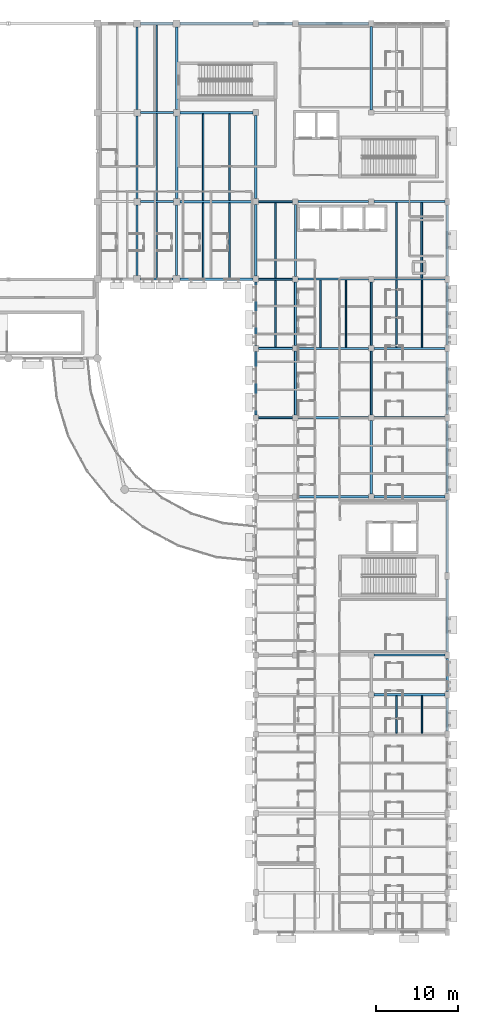
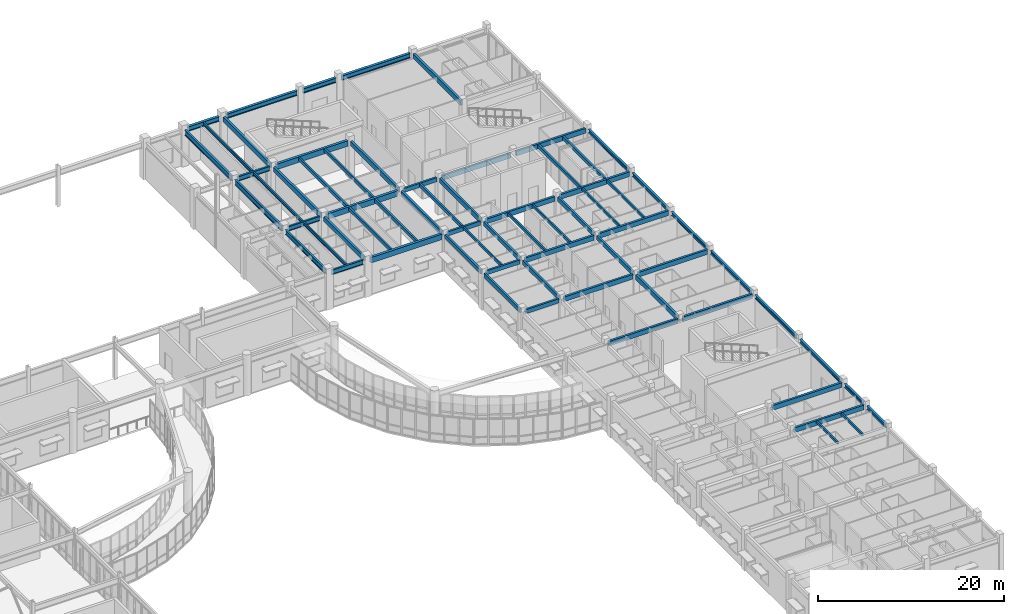
# One storey, part 31 of 68: 68 beams.
"""IFC4 building model written with IfcOpenShell, lengths in metres."""

from ifc_helpers import new_model, si_unit, direction, frame, origin, origin_2d, place, context, subcontext, project, spatial, rectangle, i_section, extrude, material, material_profile, profile_set, type_object, element, save


model = new_model("IFC4")

# Units and contexts
model_context = context("Model", 3, precision=1e-05, world=origin(), true_north=direction((0.0, 1.0)))
body_context = subcontext(model_context, "Body", "Model", "MODEL_VIEW")
ifc_project = project(units=[si_unit("LENGTHUNIT", "METRE"), si_unit("AREAUNIT", "SQUARE_METRE"), si_unit("VOLUMEUNIT", "CUBIC_METRE"), si_unit("PLANEANGLEUNIT", "RADIAN"), si_unit("MASSUNIT", "GRAM", prefix="KILO")], contexts=[model_context])

# Site, building, storey
site_placement = place(None, origin())
site = spatial("IfcSite", under=ifc_project, at=site_placement, CompositionType="ELEMENT")
building_placement = place(site_placement, origin())
building = spatial("IfcBuilding", under=site, at=building_placement, Name="Veldera Park Congress Hotel", CompositionType="ELEMENT")
storey_placement = place(building_placement, frame((0.0, 0.0, 10.800048828125)))
storey = spatial("IfcBuildingStorey", under=building, at=storey_placement, Name="L02", CompositionType="ELEMENT", Elevation=10.800048828125)

# Beams
ifc_material_1 = material(Name="Glulam GL28h (NDS 24F-V4)", Category="wood")
ifc_material_profile_1 = material_profile(ifc_material_1, rectangle(XDim=0.239990234375, YDim=0.5400390625, at=origin_2d()), Name="GL28h 240x540")
ifc_profile_set_1 = profile_set([ifc_material_profile_1], Name="Glulam GL28h (NDS 24F-V4)")
beam_type_1 = type_object("IfcBeamType", Name="BM-GL540", PredefinedType="BEAM", material=ifc_profile_set_1)
for number, where, z_axis, x_axis, name in (
    (1, (61.14990234375, 10.199951171875, 4.530029296875), (1.0, 0.0, 0.0), (0.0, 1.0, 0.0), "L02 Girder BM-GL540 862"),
    (2, (61.14990234375, 18.60009765625, 4.530029296875), (1.0, 0.0, 0.0), (0.0, 1.0, 0.0), "L02 Girder BM-GL540 872"),
    (3, (61.14990234375, 27.0, 4.530029296875), (1.0, 0.0, 0.0), (0.0, 1.0, 0.0), "L02 Girder BM-GL540 890"),
    (4, (61.14990234375, 36.39990234375, 4.530029296875), (1.0, 0.0, 0.0), (0.0, 1.0, 0.0), "L02 Girder BM-GL540 900"),
):
    element("IfcBeam", number, at=place(storey_placement, frame(where, z_axis=z_axis, x_axis=x_axis)), inside=storey, type_object=beam_type_1, Name=name, PredefinedType="BEAM", context=body_context, shape_type="SweptSolid", body=[
        extrude(rectangle(XDim=0.239990234375, YDim=0.5400390625, at=origin_2d()), origin(), (0.0, 0.0, 1.0), 4.125),
    ])
for number, where, z_axis, x_axis, name in (
    (5, (60.800048828125, 10.550048828125, 4.530029296875), (0.0, 1.0, 0.0), (-1.0, 0.0, 0.0), "L02 Girder BM-GL540 995"),
    (6, (60.800048828125, 18.949951171875, 4.530029296875), (0.0, 1.0, 0.0), (-1.0, 0.0, 0.0), "L02 Girder BM-GL540 996"),
):
    element("IfcBeam", number, at=place(storey_placement, frame(where, z_axis=z_axis, x_axis=x_axis)), inside=storey, type_object=beam_type_1, Name=name, PredefinedType="BEAM", context=body_context, shape_type="SweptSolid", body=[
        extrude(rectangle(XDim=0.239990234375, YDim=0.5400390625, at=origin_2d()), origin(), (0.0, 0.0, 1.0), 7.699951171875),
    ])
for number, where, z_axis, x_axis, name in (
    (7, (65.60009765625, 10.52490234375, 4.530029296875), (0.0, 1.0, 0.0), (-1.0, 0.0, 0.0), "L02 Girder BM-GL540 1002"),
    (8, (65.60009765625, 18.925048828125, 4.530029296875), (0.0, 1.0, 0.0), (-1.0, 0.0, 0.0), "L02 Girder BM-GL540 1003"),
    (9, (74.800048828125, 10.52490234375, 4.530029296875), (0.0, 1.0, 0.0), (-1.0, 0.0, 0.0), "L02 Girder BM-GL540 1011"),
    (10, (74.800048828125, 18.925048828125, 4.530029296875), (0.0, 1.0, 0.0), (-1.0, 0.0, 0.0), "L02 Girder BM-GL540 1012"),
):
    element("IfcBeam", number, at=place(storey_placement, frame(where, z_axis=z_axis, x_axis=x_axis)), inside=storey, type_object=beam_type_1, Name=name, PredefinedType="BEAM", context=body_context, shape_type="SweptSolid", body=[
        extrude(rectangle(XDim=0.239990234375, YDim=0.5400390625, at=origin_2d()), origin(), (0.0, 0.0, 1.0), 7.75),
    ])
ifc_material_profile_2 = material_profile(ifc_material_1, rectangle(XDim=0.264892578125, YDim=0.6201171875, at=origin_2d()), Name="GL28h 265x620")
ifc_profile_set_2 = profile_set([ifc_material_profile_2], Name="Glulam GL28h (NDS 24F-V4)")
beam_type_2 = type_object("IfcBeamType", Name="BM-GL620", PredefinedType="BEAM", material=ifc_profile_set_2)
for number, where, z_axis, x_axis, name in (
    (11, (75.125, -23.39990234375, 4.489990234375), (1.0, 0.0, 0.0), (0.0, 1.0, 0.0), "L02 Girder BM-GL620 837"),
    (12, (75.125, -18.60009765625, 4.489990234375), (1.0, 0.0, 0.0), (0.0, 1.0, 0.0), "L02 Girder BM-GL620 848"),
):
    element("IfcBeam", number, at=place(storey_placement, frame(where, z_axis=z_axis, x_axis=x_axis)), inside=storey, type_object=beam_type_2, Name=name, PredefinedType="BEAM", context=body_context, shape_type="SweptSolid", body=[
        extrude(rectangle(XDim=0.264892578125, YDim=0.6201171875, at=origin_2d()), origin(), (0.0, 0.0, 1.0), 8.60009765625),
    ])
beam_1_placement = place(storey_placement, frame((65.925048828125, 0.60009765625, 4.489990234375), z_axis=(1.0, 0.0, 0.0), x_axis=(0.0, 1.0, 0.0)))
element("IfcBeam", 13, at=beam_1_placement, inside=storey, type_object=beam_type_2, Name="L02 Girder BM-GL620 857", PredefinedType="BEAM", context=body_context, shape_type="SweptSolid", body=[
    extrude(rectangle(XDim=0.264892578125, YDim=0.6201171875, at=origin_2d()), origin(), (0.0, 0.0, 1.0), 8.550048828125),
])
beam_2_placement = place(storey_placement, frame((75.125, 0.60009765625, 4.489990234375), z_axis=(1.0, 0.0, 0.0), x_axis=(0.0, 1.0, 0.0)))
element("IfcBeam", 14, at=beam_2_placement, inside=storey, type_object=beam_type_2, Name="L02 Girder BM-GL620 858", PredefinedType="BEAM", context=body_context, shape_type="SweptSolid", body=[
    extrude(rectangle(XDim=0.264892578125, YDim=0.6201171875, at=origin_2d()), origin(), (0.0, 0.0, 1.0), 8.60009765625),
])
beam_3_placement = place(storey_placement, frame((65.925048828125, 10.199951171875, 4.489990234375), z_axis=(1.0, 0.0, 0.0), x_axis=(0.0, 1.0, 0.0)))
element("IfcBeam", 15, at=beam_3_placement, inside=storey, type_object=beam_type_2, Name="L02 Girder BM-GL620 863", PredefinedType="BEAM", context=body_context, shape_type="SweptSolid", body=[
    extrude(rectangle(XDim=0.264892578125, YDim=0.6201171875, at=origin_2d()), origin(), (0.0, 0.0, 1.0), 8.550048828125),
])
beam_4_placement = place(storey_placement, frame((75.125, 10.199951171875, 4.489990234375), z_axis=(1.0, 0.0, 0.0), x_axis=(0.0, 1.0, 0.0)))
element("IfcBeam", 16, at=beam_4_placement, inside=storey, type_object=beam_type_2, Name="L02 Girder BM-GL620 864", PredefinedType="BEAM", context=body_context, shape_type="SweptSolid", body=[
    extrude(rectangle(XDim=0.264892578125, YDim=0.6201171875, at=origin_2d()), origin(), (0.0, 0.0, 1.0), 8.60009765625),
])
beam_5_placement = place(storey_placement, frame((65.925048828125, 18.60009765625, 4.489990234375), z_axis=(1.0, 0.0, 0.0), x_axis=(0.0, 1.0, 0.0)))
element("IfcBeam", 17, at=beam_5_placement, inside=storey, type_object=beam_type_2, Name="L02 Girder BM-GL620 873", PredefinedType="BEAM", context=body_context, shape_type="SweptSolid", body=[
    extrude(rectangle(XDim=0.264892578125, YDim=0.6201171875, at=origin_2d()), origin(), (0.0, 0.0, 1.0), 8.550048828125),
])
beam_6_placement = place(storey_placement, frame((75.125, 18.60009765625, 4.489990234375), z_axis=(1.0, 0.0, 0.0), x_axis=(0.0, 1.0, 0.0)))
element("IfcBeam", 18, at=beam_6_placement, inside=storey, type_object=beam_type_2, Name="L02 Girder BM-GL620 874", PredefinedType="BEAM", context=body_context, shape_type="SweptSolid", body=[
    extrude(rectangle(XDim=0.264892578125, YDim=0.6201171875, at=origin_2d()), origin(), (0.0, 0.0, 1.0), 8.60009765625),
])
beam_7_placement = place(storey_placement, frame((65.925048828125, 27.0, 4.489990234375), z_axis=(1.0, 0.0, 0.0), x_axis=(0.0, 1.0, 0.0)))
element("IfcBeam", 19, at=beam_7_placement, inside=storey, type_object=beam_type_2, Name="L02 Girder BM-GL620 891", PredefinedType="BEAM", context=body_context, shape_type="SweptSolid", body=[
    extrude(rectangle(XDim=0.264892578125, YDim=0.6201171875, at=origin_2d()), origin(), (0.0, 0.0, 1.0), 8.550048828125),
])
beam_8_placement = place(storey_placement, frame((75.125, 27.0, 4.489990234375), z_axis=(1.0, 0.0, 0.0), x_axis=(0.0, 1.0, 0.0)))
element("IfcBeam", 20, at=beam_8_placement, inside=storey, type_object=beam_type_2, Name="L02 Girder BM-GL620 892", PredefinedType="BEAM", context=body_context, shape_type="SweptSolid", body=[
    extrude(rectangle(XDim=0.264892578125, YDim=0.6201171875, at=origin_2d()), origin(), (0.0, 0.0, 1.0), 8.60009765625),
])
beam_9_placement = place(storey_placement, frame((65.925048828125, 36.39990234375, 4.489990234375), z_axis=(1.0, 0.0, 0.0), x_axis=(0.0, 1.0, 0.0)))
element("IfcBeam", 21, at=beam_9_placement, inside=storey, type_object=beam_type_2, Name="L02 Girder BM-GL620 901", PredefinedType="BEAM", context=body_context, shape_type="SweptSolid", body=[
    extrude(rectangle(XDim=0.264892578125, YDim=0.6201171875, at=origin_2d()), origin(), (0.0, 0.0, 1.0), 8.550048828125),
])
beam_10_placement = place(storey_placement, frame((75.125, 36.39990234375, 4.489990234375), z_axis=(1.0, 0.0, 0.0), x_axis=(0.0, 1.0, 0.0)))
element("IfcBeam", 22, at=beam_10_placement, inside=storey, type_object=beam_type_2, Name="L02 Girder BM-GL620 902", PredefinedType="BEAM", context=body_context, shape_type="SweptSolid", body=[
    extrude(rectangle(XDim=0.264892578125, YDim=0.6201171875, at=origin_2d()), origin(), (0.0, 0.0, 1.0), 8.60009765625),
])
beam_11_placement = place(storey_placement, frame((51.199951171875, 27.425048828125, 4.489990234375), z_axis=(0.0, 1.0, 0.0), x_axis=(-1.0, 0.0, 0.0)))
element("IfcBeam", 23, at=beam_11_placement, inside=storey, type_object=beam_type_2, Name="L02 Girder BM-GL620 984", PredefinedType="BEAM", context=body_context, shape_type="SweptSolid", body=[
    extrude(rectangle(XDim=0.264892578125, YDim=0.6201171875, at=origin_2d()), origin(), (0.0, 0.0, 1.0), 8.574951171875),
])
beam_12_placement = place(storey_placement, frame((60.800048828125, 27.35009765625, 4.489990234375), z_axis=(0.0, 1.0, 0.0), x_axis=(-1.0, 0.0, 0.0)))
element("IfcBeam", 24, at=beam_12_placement, inside=storey, type_object=beam_type_2, Name="L02 Girder BM-GL620 997", PredefinedType="BEAM", context=body_context, shape_type="SweptSolid", body=[
    extrude(rectangle(XDim=0.264892578125, YDim=0.6201171875, at=origin_2d()), origin(), (0.0, 0.0, 1.0), 8.699951171875),
])
beam_13_placement = place(storey_placement, frame((65.60009765625, 27.324951171875, 4.489990234375), z_axis=(0.0, 1.0, 0.0), x_axis=(-1.0, 0.0, 0.0)))
element("IfcBeam", 25, at=beam_13_placement, inside=storey, type_object=beam_type_2, Name="L02 Girder BM-GL620 1004", PredefinedType="BEAM", context=body_context, shape_type="SweptSolid", body=[
    extrude(rectangle(XDim=0.264892578125, YDim=0.6201171875, at=origin_2d()), origin(), (0.0, 0.0, 1.0), 8.75),
])
ifc_material_profile_3 = material_profile(ifc_material_1, rectangle(XDim=0.280029296875, YDim=0.639892578125, at=origin_2d()), Name="GL28h 280x640")
ifc_profile_set_3 = profile_set([ifc_material_profile_3], Name="Glulam GL28h (NDS 24F-V4)")
beam_type_3 = type_object("IfcBeamType", Name="BM-GL640", PredefinedType="BEAM", material=ifc_profile_set_3)
beam_14_placement = place(storey_placement, frame((51.199951171875, 36.800048828125, 4.47998046875), z_axis=(0.0, 1.0, 0.0), x_axis=(-1.0, 0.0, 0.0)))
element("IfcBeam", 26, at=beam_14_placement, inside=storey, type_object=beam_type_3, Name="L02 Girder BM-GL640 985", PredefinedType="BEAM", context=body_context, shape_type="SweptSolid", body=[
    extrude(rectangle(XDim=0.280029296875, YDim=0.639892578125, at=origin_2d()), origin(), (0.0, 0.0, 1.0), 10.0),
])
beam_15_placement = place(storey_placement, frame((51.199951171875, 47.60009765625, 4.47998046875), z_axis=(0.0, 1.0, 0.0), x_axis=(-1.0, 0.0, 0.0)))
element("IfcBeam", 27, at=beam_15_placement, inside=storey, type_object=beam_type_3, Name="L02 Girder BM-GL640 986", PredefinedType="BEAM", context=body_context, shape_type="SweptSolid", body=[
    extrude(rectangle(XDim=0.280029296875, YDim=0.639892578125, at=origin_2d()), origin(), (0.0, 0.0, 1.0), 9.974853515625),
])
beam_16_placement = place(storey_placement, frame((60.800048828125, 36.75, 4.47998046875), z_axis=(0.0, 1.0, 0.0), x_axis=(-1.0, 0.0, 0.0)))
element("IfcBeam", 28, at=beam_16_placement, inside=storey, type_object=beam_type_3, Name="L02 Girder BM-GL640 998", PredefinedType="BEAM", context=body_context, shape_type="SweptSolid", body=[
    extrude(rectangle(XDim=0.280029296875, YDim=0.639892578125, at=origin_2d()), origin(), (0.0, 0.0, 1.0), 10.10009765625),
])
beam_17_placement = place(storey_placement, frame((74.800048828125, 0.925048828125, 4.47998046875), z_axis=(0.0, 1.0, 0.0), x_axis=(-1.0, 0.0, 0.0)))
element("IfcBeam", 29, at=beam_17_placement, inside=storey, type_object=beam_type_3, Name="L02 Girder BM-GL640 1010", PredefinedType="BEAM", context=body_context, shape_type="SweptSolid", body=[
    extrude(rectangle(XDim=0.280029296875, YDim=0.639892578125, at=origin_2d()), origin(), (0.0, 0.0, 1.0), 8.949951171875),
])
beam_18_placement = place(storey_placement, frame((74.800048828125, 47.52490234375, 4.47998046875), z_axis=(0.0, 1.0, 0.0), x_axis=(-1.0, 0.0, 0.0)))
element("IfcBeam", 30, at=beam_18_placement, inside=storey, type_object=beam_type_3, Name="L02 Girder BM-GL640 1013", PredefinedType="BEAM", context=body_context, shape_type="SweptSolid", body=[
    extrude(rectangle(XDim=0.280029296875, YDim=0.639892578125, at=origin_2d()), origin(), (0.0, 0.0, 1.0), 10.125),
])
ifc_material_profile_4 = material_profile(ifc_material_1, rectangle(XDim=0.31494140625, YDim=0.719970703125, at=origin_2d()), Name="GL28h 315x720")
ifc_profile_set_4 = profile_set([ifc_material_profile_4], Name="Glulam GL28h (NDS 24F-V4)")
beam_type_4 = type_object("IfcBeamType", Name="BM-GL720", PredefinedType="BEAM", material=ifc_profile_set_4)
beam_19_placement = place(storey_placement, frame((51.625, 27.0, 4.43994140625), z_axis=(1.0, 0.0, 0.0), x_axis=(0.0, 1.0, 0.0)))
element("IfcBeam", 31, at=beam_19_placement, inside=storey, type_object=beam_type_4, Name="L02 Girder BM-GL720 889", PredefinedType="BEAM", context=body_context, shape_type="SweptSolid", body=[
    extrude(rectangle(XDim=0.31494140625, YDim=0.719970703125, at=origin_2d()), origin(), (0.0, 0.0, 1.0), 8.824951171875),
])
for number, where, z_axis, x_axis, name in (
    (32, (51.60009765625, 36.39990234375, 4.43994140625), (1.0, 0.0, 0.0), (0.0, 1.0, 0.0), "L02 Girder BM-GL720 899"),
    (33, (51.60009765625, 47.199951171875, 4.43994140625), (1.0, 0.0, 0.0), (0.0, 1.0, 0.0), "L02 Girder BM-GL720 909"),
):
    element("IfcBeam", number, at=place(storey_placement, frame(where, z_axis=z_axis, x_axis=x_axis)), inside=storey, type_object=beam_type_4, Name=name, PredefinedType="BEAM", context=body_context, shape_type="SweptSolid", body=[
        extrude(rectangle(XDim=0.31494140625, YDim=0.719970703125, at=origin_2d()), origin(), (0.0, 0.0, 1.0), 8.849853515625),
    ])
ifc_material_2 = material(Name="Steel ASTM A992 Gr.50", Category="steel")
ifc_material_profile_5 = material_profile(ifc_material_2, i_section(OverallWidth=0.22900390625, OverallDepth=0.612060546875, WebThickness=0.011962890625, FlangeThickness=0.01953125, at=origin_2d()), Name="W24X84")
ifc_profile_set_5 = profile_set([ifc_material_profile_5], Name="Steel ASTM A992 Gr.50")
beam_type_5 = type_object("IfcBeamType", Name="BM-W24", PredefinedType="BEAM", material=ifc_profile_set_5)
beam_20_placement = place(storey_placement, frame((46.824951171875, 27.0, 4.493896484375), z_axis=(1.0, 0.0, 0.0), x_axis=(0.0, 1.0, 0.0)))
element("IfcBeam", 34, at=beam_20_placement, inside=storey, type_object=beam_type_5, Name="L02 Girder BM-W24 888", PredefinedType="BEAM", context=body_context, shape_type="SweptSolid", body=[
    extrude(i_section(OverallWidth=0.22900390625, OverallDepth=0.612060546875, WebThickness=0.011962890625, FlangeThickness=0.01953125, at=origin_2d()), origin(), (0.0, 0.0, 1.0), 3.949951171875),
])
for number, where, z_axis, x_axis, name in (
    (35, (46.800048828125, 36.39990234375, 4.493896484375), (1.0, 0.0, 0.0), (0.0, 1.0, 0.0), "L02 Girder BM-W24 898"),
    (36, (46.800048828125, 47.199951171875, 4.493896484375), (1.0, 0.0, 0.0), (0.0, 1.0, 0.0), "L02 Girder BM-W24 908"),
):
    element("IfcBeam", number, at=place(storey_placement, frame(where, z_axis=z_axis, x_axis=x_axis)), inside=storey, type_object=beam_type_5, Name=name, PredefinedType="BEAM", context=body_context, shape_type="SweptSolid", body=[
        extrude(i_section(OverallWidth=0.22900390625, OverallDepth=0.612060546875, WebThickness=0.011962890625, FlangeThickness=0.01953125, at=origin_2d()), origin(), (0.0, 0.0, 1.0), 4.0),
    ])
ifc_material_profile_6 = material_profile(ifc_material_2, i_section(OverallWidth=0.22998046875, OverallDepth=0.616943359375, WebThickness=0.01318359375, FlangeThickness=0.022216796875, at=origin_2d()), Name="W24X94")
ifc_profile_set_6 = profile_set([ifc_material_profile_6], Name="Steel ASTM A992 Gr.50")
beam_type_6 = type_object("IfcBeamType", Name="BM-W24B", PredefinedType="BEAM", material=ifc_profile_set_6)
beam_21_placement = place(storey_placement, frame((46.39990234375, 27.425048828125, 4.491455078125), z_axis=(0.0, 1.0, 0.0), x_axis=(-1.0, 0.0, 0.0)))
element("IfcBeam", 37, at=beam_21_placement, inside=storey, type_object=beam_type_6, Name="L02 Girder BM-W24B 981", PredefinedType="BEAM", context=body_context, shape_type="SweptSolid", body=[
    extrude(i_section(OverallWidth=0.22998046875, OverallDepth=0.616943359375, WebThickness=0.01318359375, FlangeThickness=0.022216796875, at=origin_2d()), origin(), (0.0, 0.0, 1.0), 8.574951171875),
])
ifc_material_profile_7 = material_profile(ifc_material_2, i_section(OverallWidth=0.323974609375, OverallDepth=0.612060546875, WebThickness=0.0126953125, FlangeThickness=0.01904296875, at=origin_2d()), Name="W24X104")
ifc_profile_set_7 = profile_set([ifc_material_profile_7], Name="Steel ASTM A992 Gr.50")
beam_type_7 = type_object("IfcBeamType", Name="BM-W24E", PredefinedType="BEAM", material=ifc_profile_set_7)
beam_22_placement = place(storey_placement, frame((46.824951171875, 58.0, 4.493896484375), z_axis=(1.0, 0.0, 0.0), x_axis=(0.0, 1.0, 0.0)))
element("IfcBeam", 38, at=beam_22_placement, inside=storey, type_object=beam_type_7, Name="L02 Girder BM-W24E 920", PredefinedType="BEAM", context=body_context, shape_type="SweptSolid", body=[
    extrude(i_section(OverallWidth=0.323974609375, OverallDepth=0.612060546875, WebThickness=0.0126953125, FlangeThickness=0.01904296875, at=origin_2d()), origin(), (0.0, 0.0, 1.0), 3.949951171875),
])
ifc_material_profile_8 = material_profile(ifc_material_2, i_section(OverallWidth=0.256103515625, OverallDepth=0.693115234375, WebThickness=0.014404296875, FlangeThickness=0.023681640625, at=origin_2d()), Name="W27X114")
ifc_profile_set_8 = profile_set([ifc_material_profile_8], Name="Steel ASTM A992 Gr.50")
beam_type_8 = type_object("IfcBeamType", Name="BM-W27", PredefinedType="BEAM", material=ifc_profile_set_8)
beam_23_placement = place(storey_placement, frame((46.39990234375, 36.800048828125, 4.453369140625), z_axis=(0.0, 1.0, 0.0), x_axis=(-1.0, 0.0, 0.0)))
element("IfcBeam", 39, at=beam_23_placement, inside=storey, type_object=beam_type_8, Name="L02 Girder BM-W27 982", PredefinedType="BEAM", context=body_context, shape_type="SweptSolid", body=[
    extrude(i_section(OverallWidth=0.256103515625, OverallDepth=0.693115234375, WebThickness=0.014404296875, FlangeThickness=0.023681640625, at=origin_2d()), origin(), (0.0, 0.0, 1.0), 10.0),
])
beam_24_placement = place(storey_placement, frame((46.39990234375, 47.60009765625, 4.453369140625), z_axis=(0.0, 1.0, 0.0), x_axis=(-1.0, 0.0, 0.0)))
element("IfcBeam", 40, at=beam_24_placement, inside=storey, type_object=beam_type_8, Name="L02 Girder BM-W27 983", PredefinedType="BEAM", context=body_context, shape_type="SweptSolid", body=[
    extrude(i_section(OverallWidth=0.256103515625, OverallDepth=0.693115234375, WebThickness=0.014404296875, FlangeThickness=0.023681640625, at=origin_2d()), origin(), (0.0, 0.0, 1.0), 9.974853515625),
])
ifc_material_profile_9 = material_profile(ifc_material_1, rectangle(XDim=0.179931640625, YDim=0.360107421875, at=origin_2d()), Name="GL28h 180x360")
ifc_profile_set_9 = profile_set([ifc_material_profile_9], Name="Glulam GL28h (NDS 24F-V4)")
beam_type_9 = type_object("IfcBeamType", Name="JST-GL360", PredefinedType="JOIST", material=ifc_profile_set_9)
for number, where, z_axis, x_axis, name in (
    (41, (77.86669921875, -28.0673828125, 4.619873046875), (0.0, 1.0, 0.0), (-1.0, 0.0, 0.0), "L02 Floor Joist JST-GL360 1039"),
    (42, (80.933349609375, -28.0673828125, 4.619873046875), (0.0, 1.0, 0.0), (-1.0, 0.0, 0.0), "L02 Floor Joist JST-GL360 1040"),
):
    element("IfcBeam", number, at=place(storey_placement, frame(where, z_axis=z_axis, x_axis=x_axis)), inside=storey, type_object=beam_type_9, Name=name, PredefinedType="JOIST", context=body_context, shape_type="SweptSolid", body=[
        extrude(rectangle(XDim=0.179931640625, YDim=0.360107421875, at=origin_2d()), origin(), (0.0, 0.0, 1.0), 4.534912109375),
    ])
beam_25_placement = place(storey_placement, frame((63.199951171875, 18.719970703125, 4.619873046875), z_axis=(0.0, 1.0, 0.0), x_axis=(-1.0, 0.0, 0.0)))
element("IfcBeam", 43, at=beam_25_placement, inside=storey, type_object=beam_type_9, Name="L02 Floor Joist JST-GL360 1041", PredefinedType="JOIST", context=body_context, shape_type="SweptSolid", body=[
    extrude(rectangle(XDim=0.179931640625, YDim=0.360107421875, at=origin_2d()), origin(), (0.0, 0.0, 1.0), 8.159912109375),
])
for number, where, z_axis, x_axis, name in (
    (44, (68.666748046875, 18.732421875, 4.619873046875), (0.0, 1.0, 0.0), (-1.0, 0.0, 0.0), "L02 Floor Joist JST-GL360 1042"),
    (45, (71.7333984375, 18.732421875, 4.619873046875), (0.0, 1.0, 0.0), (-1.0, 0.0, 0.0), "L02 Floor Joist JST-GL360 1043"),
    (46, (77.86669921875, 18.732421875, 4.619873046875), (0.0, 1.0, 0.0), (-1.0, 0.0, 0.0), "L02 Floor Joist JST-GL360 1044"),
    (47, (80.933349609375, 18.732421875, 4.619873046875), (0.0, 1.0, 0.0), (-1.0, 0.0, 0.0), "L02 Floor Joist JST-GL360 1045"),
):
    element("IfcBeam", number, at=place(storey_placement, frame(where, z_axis=z_axis, x_axis=x_axis)), inside=storey, type_object=beam_type_9, Name=name, PredefinedType="JOIST", context=body_context, shape_type="SweptSolid", body=[
        extrude(rectangle(XDim=0.179931640625, YDim=0.360107421875, at=origin_2d()), origin(), (0.0, 0.0, 1.0), 8.135009765625),
    ])
ifc_material_profile_10 = material_profile(ifc_material_1, rectangle(XDim=0.215087890625, YDim=0.449951171875, at=origin_2d()), Name="GL28h 215x450")
ifc_profile_set_10 = profile_set([ifc_material_profile_10], Name="Glulam GL28h (NDS 24F-V4)")
beam_type_10 = type_object("IfcBeamType", Name="JST-GL450", PredefinedType="JOIST", material=ifc_profile_set_10)
for number, where, z_axis, x_axis, name in (
    (48, (54.39990234375, 27.157470703125, 4.574951171875), (0.0, 1.0, 0.0), (-1.0, 0.0, 0.0), "L02 Floor Joist JST-GL450 1056"),
    (49, (57.60009765625, 27.157470703125, 4.574951171875), (0.0, 1.0, 0.0), (-1.0, 0.0, 0.0), "L02 Floor Joist JST-GL450 1057"),
):
    element("IfcBeam", number, at=place(storey_placement, frame(where, z_axis=z_axis, x_axis=x_axis)), inside=storey, type_object=beam_type_10, Name=name, PredefinedType="JOIST", context=body_context, shape_type="SweptSolid", body=[
        extrude(rectangle(XDim=0.215087890625, YDim=0.449951171875, at=origin_2d()), origin(), (0.0, 0.0, 1.0), 9.0849609375),
    ])
beam_26_placement = place(storey_placement, frame((63.199951171875, 27.1201171875, 4.574951171875), z_axis=(0.0, 1.0, 0.0), x_axis=(-1.0, 0.0, 0.0)))
element("IfcBeam", 50, at=beam_26_placement, inside=storey, type_object=beam_type_10, Name="L02 Floor Joist JST-GL450 1058", PredefinedType="JOIST", context=body_context, shape_type="SweptSolid", body=[
    extrude(rectangle(XDim=0.215087890625, YDim=0.449951171875, at=origin_2d()), origin(), (0.0, 0.0, 1.0), 9.159912109375),
])
for number, where, z_axis, x_axis, name in (
    (51, (77.86669921875, 27.132568359375, 4.574951171875), (0.0, 1.0, 0.0), (-1.0, 0.0, 0.0), "L02 Floor Joist JST-GL450 1059"),
    (52, (80.933349609375, 27.132568359375, 4.574951171875), (0.0, 1.0, 0.0), (-1.0, 0.0, 0.0), "L02 Floor Joist JST-GL450 1060"),
):
    element("IfcBeam", number, at=place(storey_placement, frame(where, z_axis=z_axis, x_axis=x_axis)), inside=storey, type_object=beam_type_10, Name=name, PredefinedType="JOIST", context=body_context, shape_type="SweptSolid", body=[
        extrude(rectangle(XDim=0.215087890625, YDim=0.449951171875, at=origin_2d()), origin(), (0.0, 0.0, 1.0), 9.135009765625),
    ])
for number, where, z_axis, x_axis, name in (
    (53, (54.39990234375, 36.5576171875, 4.574951171875), (0.0, 1.0, 0.0), (-1.0, 0.0, 0.0), "L02 Floor Joist JST-GL450 1071"),
    (54, (57.60009765625, 36.5576171875, 4.574951171875), (0.0, 1.0, 0.0), (-1.0, 0.0, 0.0), "L02 Floor Joist JST-GL450 1072"),
):
    element("IfcBeam", number, at=place(storey_placement, frame(where, z_axis=z_axis, x_axis=x_axis)), inside=storey, type_object=beam_type_10, Name=name, PredefinedType="JOIST", context=body_context, shape_type="SweptSolid", body=[
        extrude(rectangle(XDim=0.215087890625, YDim=0.449951171875, at=origin_2d()), origin(), (0.0, 0.0, 1.0), 10.48486328125),
    ])
ifc_material_profile_11 = material_profile(ifc_material_2, i_section(OverallWidth=0.178955078125, OverallDepth=0.409912109375, WebThickness=0.0087890625, FlangeThickness=0.014404296875, at=origin_2d()), Name="W16X45")
ifc_profile_set_11 = profile_set([ifc_material_profile_11], Name="Steel ASTM A992 Gr.50")
beam_type_11 = type_object("IfcBeamType", Name="JST-W16", PredefinedType="JOIST", material=ifc_profile_set_11)
beam_27_placement = place(storey_placement, frame((48.800048828125, 27.114501953125, 4.594970703125), z_axis=(0.0, 1.0, 0.0), x_axis=(-1.0, 0.0, 0.0)))
element("IfcBeam", 55, at=beam_27_placement, inside=storey, type_object=beam_type_11, Name="L02 Floor Joist JST-W16 1055", PredefinedType="JOIST", context=body_context, shape_type="SweptSolid", body=[
    extrude(i_section(OverallWidth=0.178955078125, OverallDepth=0.409912109375, WebThickness=0.0087890625, FlangeThickness=0.014404296875, at=origin_2d()), origin(), (0.0, 0.0, 1.0), 9.1708984375),
])
ifc_material_profile_12 = material_profile(ifc_material_2, i_section(OverallWidth=0.180908203125, OverallDepth=0.4169921875, WebThickness=0.010986328125, FlangeThickness=0.018310546875, at=origin_2d()), Name="W16X57")
ifc_profile_set_12 = profile_set([ifc_material_profile_12], Name="Steel ASTM A992 Gr.50")
beam_type_12 = type_object("IfcBeamType", Name="JST-W16B", PredefinedType="JOIST", material=ifc_profile_set_12)
beam_28_placement = place(storey_placement, frame((48.800048828125, 36.514404296875, 4.591552734375), z_axis=(0.0, 1.0, 0.0), x_axis=(-1.0, 0.0, 0.0)))
element("IfcBeam", 56, at=beam_28_placement, inside=storey, type_object=beam_type_12, Name="L02 Floor Joist JST-W16B 1070", PredefinedType="JOIST", context=body_context, shape_type="SweptSolid", body=[
    extrude(i_section(OverallWidth=0.180908203125, OverallDepth=0.4169921875, WebThickness=0.010986328125, FlangeThickness=0.018310546875, at=origin_2d()), origin(), (0.0, 0.0, 1.0), 10.571044921875),
])
beam_29_placement = place(storey_placement, frame((48.800048828125, 47.314453125, 4.591552734375), z_axis=(0.0, 1.0, 0.0), x_axis=(-1.0, 0.0, 0.0)))
element("IfcBeam", 57, at=beam_29_placement, inside=storey, type_object=beam_type_12, Name="L02 Floor Joist JST-W16B 1080", PredefinedType="JOIST", context=body_context, shape_type="SweptSolid", body=[
    extrude(i_section(OverallWidth=0.180908203125, OverallDepth=0.4169921875, WebThickness=0.010986328125, FlangeThickness=0.018310546875, at=origin_2d()), origin(), (0.0, 0.0, 1.0), 10.5234375),
])
ifc_material_profile_13 = material_profile(ifc_material_2, i_section(OverallWidth=0.280029296875, OverallDepth=0.462890625, WebThickness=0.0107421875, FlangeThickness=0.017333984375, at=origin_2d()), Name="W18X76")
ifc_profile_set_13 = profile_set([ifc_material_profile_13], Name="Steel ASTM A992 Gr.50")
beam_type_13 = type_object("IfcBeamType", Name="SPN-W18E", PredefinedType="SPANDREL", material=ifc_profile_set_13)
for number, where, z_axis, x_axis, name in (
    (58, (84.0, -27.800048828125, 4.568359375), (0.0, 1.0, 0.0), (-1.0, 0.0, 0.0), "L02 Girder SPN-W18E 1017"),
    (59, (84.0, -23.0, 4.568359375), (0.0, 1.0, 0.0), (-1.0, 0.0, 0.0), "L02 Girder SPN-W18E 1018"),
):
    element("IfcBeam", number, at=place(storey_placement, frame(where, z_axis=z_axis, x_axis=x_axis)), inside=storey, type_object=beam_type_13, Name=name, PredefinedType="SPANDREL", context=body_context, shape_type="SweptSolid", body=[
        extrude(i_section(OverallWidth=0.280029296875, OverallDepth=0.462890625, WebThickness=0.0107421875, FlangeThickness=0.017333984375, at=origin_2d()), origin(), (0.0, 0.0, 1.0), 4.0),
    ])
for number, where, z_axis, x_axis, name in (
    (60, (84.0, -18.199951171875, 4.568359375), (0.0, 1.0, 0.0), (-1.0, 0.0, 0.0), "L02 Girder SPN-W18E 1019"),
    (61, (84.0, -8.60009765625, 4.568359375), (0.0, 1.0, 0.0), (-1.0, 0.0, 0.0), "L02 Girder SPN-W18E 1020"),
    (62, (84.0, 1.0, 4.568359375), (0.0, 1.0, 0.0), (-1.0, 0.0, 0.0), "L02 Girder SPN-W18E 1021"),
):
    element("IfcBeam", number, at=place(storey_placement, frame(where, z_axis=z_axis, x_axis=x_axis)), inside=storey, type_object=beam_type_13, Name=name, PredefinedType="SPANDREL", context=body_context, shape_type="SweptSolid", body=[
        extrude(i_section(OverallWidth=0.280029296875, OverallDepth=0.462890625, WebThickness=0.0107421875, FlangeThickness=0.017333984375, at=origin_2d()), origin(), (0.0, 0.0, 1.0), 8.800048828125),
    ])
beam_30_placement = place(storey_placement, frame((84.0, 10.60009765625, 4.568359375), z_axis=(0.0, 1.0, 0.0), x_axis=(-1.0, 0.0, 0.0)))
element("IfcBeam", 63, at=beam_30_placement, inside=storey, type_object=beam_type_13, Name="L02 Girder SPN-W18E 1022", PredefinedType="SPANDREL", context=body_context, shape_type="SweptSolid", body=[
    extrude(i_section(OverallWidth=0.280029296875, OverallDepth=0.462890625, WebThickness=0.0107421875, FlangeThickness=0.017333984375, at=origin_2d()), origin(), (0.0, 0.0, 1.0), 7.599853515625),
])
beam_31_placement = place(storey_placement, frame((84.0, 19.0, 4.568359375), z_axis=(0.0, 1.0, 0.0), x_axis=(-1.0, 0.0, 0.0)))
element("IfcBeam", 64, at=beam_31_placement, inside=storey, type_object=beam_type_13, Name="L02 Girder SPN-W18E 1023", PredefinedType="SPANDREL", context=body_context, shape_type="SweptSolid", body=[
    extrude(i_section(OverallWidth=0.280029296875, OverallDepth=0.462890625, WebThickness=0.0107421875, FlangeThickness=0.017333984375, at=origin_2d()), origin(), (0.0, 0.0, 1.0), 7.60009765625),
])
beam_32_placement = place(storey_placement, frame((84.0, 27.39990234375, 4.568359375), z_axis=(0.0, 1.0, 0.0), x_axis=(-1.0, 0.0, 0.0)))
element("IfcBeam", 65, at=beam_32_placement, inside=storey, type_object=beam_type_13, Name="L02 Girder SPN-W18E 1024", PredefinedType="SPANDREL", context=body_context, shape_type="SweptSolid", body=[
    extrude(i_section(OverallWidth=0.280029296875, OverallDepth=0.462890625, WebThickness=0.0107421875, FlangeThickness=0.017333984375, at=origin_2d()), origin(), (0.0, 0.0, 1.0), 8.60009765625),
])
ifc_material_profile_14 = material_profile(ifc_material_2, i_section(OverallWidth=0.323974609375, OverallDepth=0.612060546875, WebThickness=0.0126953125, FlangeThickness=0.01904296875, at=origin_2d()), Name="W24X104")
ifc_profile_set_14 = profile_set([ifc_material_profile_14], Name="Steel ASTM A992 Gr.50")
beam_type_14 = type_object("IfcBeamType", Name="SPN-W24E", PredefinedType="SPANDREL", material=ifc_profile_set_14)
beam_33_placement = place(storey_placement, frame((51.625, 58.0, 4.493896484375), z_axis=(1.0, 0.0, 0.0), x_axis=(0.0, 1.0, 0.0)))
element("IfcBeam", 66, at=beam_33_placement, inside=storey, type_object=beam_type_14, Name="L02 Girder SPN-W24E 921", PredefinedType="SPANDREL", context=body_context, shape_type="SweptSolid", body=[
    extrude(i_section(OverallWidth=0.323974609375, OverallDepth=0.612060546875, WebThickness=0.0126953125, FlangeThickness=0.01904296875, at=origin_2d()), origin(), (0.0, 0.0, 1.0), 8.824951171875),
])
beam_34_placement = place(storey_placement, frame((61.14990234375, 58.0, 4.493896484375), z_axis=(1.0, 0.0, 0.0), x_axis=(0.0, 1.0, 0.0)))
element("IfcBeam", 67, at=beam_34_placement, inside=storey, type_object=beam_type_14, Name="L02 Girder SPN-W24E 922", PredefinedType="SPANDREL", context=body_context, shape_type="SweptSolid", body=[
    extrude(i_section(OverallWidth=0.323974609375, OverallDepth=0.612060546875, WebThickness=0.0126953125, FlangeThickness=0.01904296875, at=origin_2d()), origin(), (0.0, 0.0, 1.0), 4.10009765625),
])
beam_35_placement = place(storey_placement, frame((65.949951171875, 58.0, 4.493896484375), z_axis=(1.0, 0.0, 0.0), x_axis=(0.0, 1.0, 0.0)))
element("IfcBeam", 68, at=beam_35_placement, inside=storey, type_object=beam_type_14, Name="L02 Girder SPN-W24E 923", PredefinedType="SPANDREL", context=body_context, shape_type="SweptSolid", body=[
    extrude(i_section(OverallWidth=0.323974609375, OverallDepth=0.612060546875, WebThickness=0.0126953125, FlangeThickness=0.01904296875, at=origin_2d()), origin(), (0.0, 0.0, 1.0), 8.5),
])

save(model, "model.ifc")
